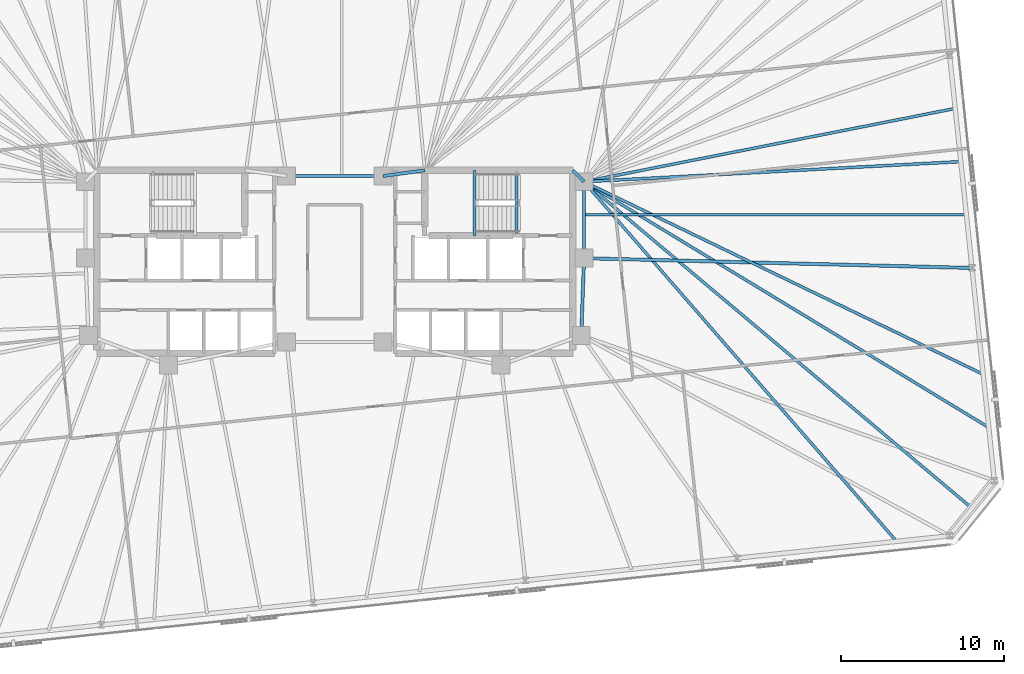
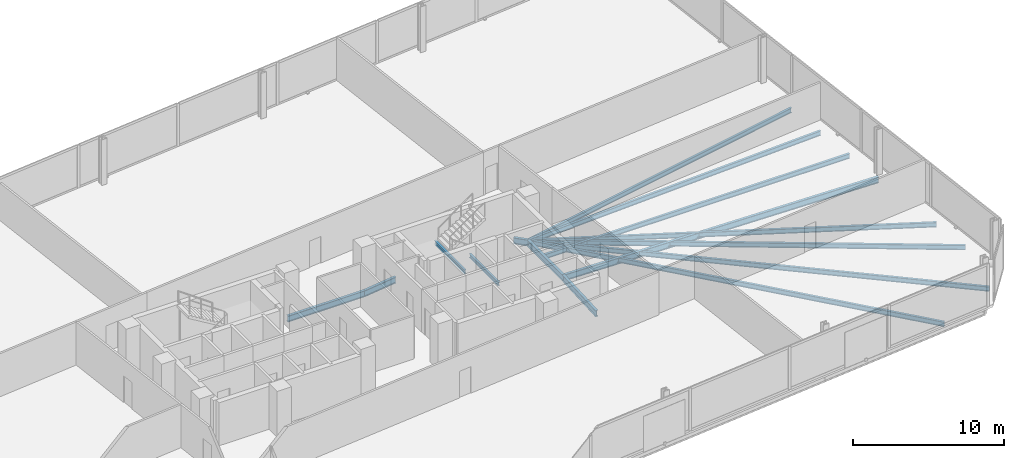
# One storey, part 8 of 18: 15 beams.
"""IFC4 building model written with IfcOpenShell, lengths in metres."""

from ifc_helpers import new_model, si_unit, direction, frame, origin, origin_2d, place, context, subcontext, project, spatial, i_section, extrude, material, material_profile, profile_set, type_object, element, save


model = new_model("IFC4")

# Units and contexts
model_context = context("Model", 3, precision=1e-05, world=origin(), true_north=direction((0.0, 1.0)))
body_context = subcontext(model_context, "Body", "Model", "MODEL_VIEW")
ifc_project = project(units=[si_unit("LENGTHUNIT", "METRE"), si_unit("AREAUNIT", "SQUARE_METRE"), si_unit("VOLUMEUNIT", "CUBIC_METRE"), si_unit("PLANEANGLEUNIT", "RADIAN"), si_unit("MASSUNIT", "GRAM", prefix="KILO")], contexts=[model_context])

# Site, building, storey
site_placement = place(None, origin())
site = spatial("IfcSite", under=ifc_project, at=site_placement, CompositionType="ELEMENT")
building_placement = place(site_placement, origin())
building = spatial("IfcBuilding", under=site, at=building_placement, Name="Menara Jurai Vektor", CompositionType="ELEMENT")
storey_placement = place(building_placement, frame((0.0, 0.0, 135.5)))
storey = spatial("IfcBuildingStorey", under=building, at=storey_placement, Name="L34", CompositionType="ELEMENT", Elevation=135.5)

# Beams
ifc_material = material(Name="Steel S355", Category="steel")
ifc_material_profile_1 = material_profile(ifc_material, i_section(OverallWidth=0.199951171875, OverallDepth=0.5, WebThickness=0.011962890625, FlangeThickness=0.02001953125, at=origin_2d()), Name="PG 500x200x96")
ifc_profile_set_1 = profile_set([ifc_material_profile_1], Name="Steel S355")
beam_type_1 = type_object("IfcBeamType", Name="STR-BM-500", PredefinedType="BEAM", material=ifc_profile_set_1)
beam_1_placement = place(storey_placement, frame((2.949951171875, 5.25, -0.47509765625), z_axis=(0.990706818608, 0.136014703483, 0.0), x_axis=(-0.136014703483, 0.990706818608, 0.0)))
element("IfcBeam", 1, at=beam_1_placement, inside=storey, type_object=beam_type_1, Name="Core Ring Header Girder L34-CHE-N1", PredefinedType="BEAM", context=body_context, shape_type="SweptSolid", body=[
    extrude(i_section(OverallWidth=0.199951171875, OverallDepth=0.5, WebThickness=0.011962890625, FlangeThickness=0.02001953125, at=origin_2d()), origin(), (0.0, 0.0, 1.0), 2.573974609375),
])
beam_2_placement = place(storey_placement, frame((14.56005859375, 5.60009765625, -0.47509765625), z_axis=(0.701871936926, -0.712303154672, 0.0), x_axis=(0.712303154672, 0.701871936926, 0.0)))
element("IfcBeam", 2, at=beam_2_placement, inside=storey, type_object=beam_type_1, Name="Core Ring Header Girder L34-CHE-N2", PredefinedType="BEAM", context=body_context, shape_type="SweptSolid", body=[
    extrude(i_section(OverallWidth=0.199951171875, OverallDepth=0.5, WebThickness=0.011962890625, FlangeThickness=0.02001953125, at=origin_2d()), origin(), (0.0, 0.0, 1.0), 0.98291015625),
])
beam_3_placement = place(storey_placement, frame((15.25, 0.219970703125, -0.47509765625), z_axis=(0.0, 1.0, 0.0), x_axis=(-1.0, 0.0, 0.0)))
element("IfcBeam", 3, at=beam_3_placement, inside=storey, type_object=beam_type_1, Name="Core Ring Header Girder L34-CHE-E1", PredefinedType="BEAM", context=body_context, shape_type="SweptSolid", body=[
    extrude(i_section(OverallWidth=0.199951171875, OverallDepth=0.5, WebThickness=0.011962890625, FlangeThickness=0.02001953125, at=origin_2d()), origin(), (0.0, 0.0, 1.0), 4.679931640625),
])
beam_4_placement = place(storey_placement, frame((15.080078125, -4.5, -0.47509765625), z_axis=(0.035977314146, 0.999352606874, 0.0), x_axis=(-0.999352606874, 0.035977314146, 0.0)))
element("IfcBeam", 4, at=beam_4_placement, inside=storey, type_object=beam_type_1, Name="Core Ring Header Girder L34-CHE-E2", PredefinedType="BEAM", context=body_context, shape_type="SweptSolid", body=[
    extrude(i_section(OverallWidth=0.199951171875, OverallDepth=0.5, WebThickness=0.011962890625, FlangeThickness=0.02001953125, at=origin_2d()), origin(), (0.0, 0.0, 1.0), 4.72314453125),
])
beam_5_placement = place(storey_placement, frame((-2.949951171875, 5.25, -0.47509765625), z_axis=(1.0, 0.0, 0.0), x_axis=(0.0, 1.0, 0.0)))
element("IfcBeam", 5, at=beam_5_placement, inside=storey, type_object=beam_type_1, Name="Core Ring Header Girder L34-CC-2", PredefinedType="BEAM", context=body_context, shape_type="SweptSolid", body=[
    extrude(i_section(OverallWidth=0.199951171875, OverallDepth=0.5, WebThickness=0.011962890625, FlangeThickness=0.02001953125, at=origin_2d()), origin(), (0.0, 0.0, 1.0), 5.89990234375),
])
beam_6_placement = place(storey_placement, frame((38.98828125, -0.375, -0.47509765625), z_axis=(-0.999686051749, 0.02505589629, 0.0), x_axis=(-0.02505589629, -0.999686051749, 0.0)))
element("IfcBeam", 6, at=beam_6_placement, inside=storey, type_object=beam_type_1, Name="Radial Floor Girder L34-E2", PredefinedType="BEAM", context=body_context, shape_type="SweptSolid", body=[
    extrude(i_section(OverallWidth=0.199951171875, OverallDepth=0.5, WebThickness=0.011962890625, FlangeThickness=0.02001953125, at=origin_2d()), origin(), (0.0, 0.0, 1.0), 23.745849609375),
])
ifc_material_profile_2 = material_profile(ifc_material, i_section(OverallWidth=0.175048828125, OverallDepth=0.3798828125, WebThickness=0.010009765625, FlangeThickness=0.014892578125, at=origin_2d()), Name="PG 380x175x58")
ifc_profile_set_2 = profile_set([ifc_material_profile_2], Name="Steel S355")
beam_type_2 = type_object("IfcBeamType", Name="STR-JS-380", PredefinedType="JOIST", material=ifc_profile_set_2)
beam_7_placement = place(storey_placement, frame((34.376953125, -17.106201171875, -0.4150390625), z_axis=(-0.656007047389, 0.754754763996, 0.0), x_axis=(-0.754754763996, -0.656007047389, 0.0)))
element("IfcBeam", 7, at=beam_7_placement, inside=storey, type_object=beam_type_2, Name="Radial Secondary Floor Joist L34-JS09", PredefinedType="JOIST", context=body_context, shape_type="SweptSolid", body=[
    extrude(i_section(OverallWidth=0.175048828125, OverallDepth=0.3798828125, WebThickness=0.010009765625, FlangeThickness=0.014892578125, at=origin_2d()), origin(), (0.0, 0.0, 1.0), 29.15673828125),
])
beam_8_placement = place(storey_placement, frame((38.989013671875, -15.076904296875, -0.4150390625), z_axis=(-0.765132553444, 0.643872794627, 0.0), x_axis=(-0.643872794627, -0.765132553444, 0.0)))
element("IfcBeam", 8, at=beam_8_placement, inside=storey, type_object=beam_type_2, Name="Radial Secondary Floor Joist L34-JS10", PredefinedType="JOIST", context=body_context, shape_type="SweptSolid", body=[
    extrude(i_section(OverallWidth=0.175048828125, OverallDepth=0.3798828125, WebThickness=0.010009765625, FlangeThickness=0.014892578125, at=origin_2d()), origin(), (0.0, 0.0, 1.0), 31.026123046875),
])
beam_9_placement = place(storey_placement, frame((40.01416015625, -10.13525390625, -0.4150390625), z_axis=(-0.854790986557, 0.518972416706, 0.0), x_axis=(-0.518972416706, -0.854790986557, 0.0)))
element("IfcBeam", 9, at=beam_9_placement, inside=storey, type_object=beam_type_2, Name="Radial Secondary Floor Joist L34-JS11", PredefinedType="JOIST", context=body_context, shape_type="SweptSolid", body=[
    extrude(i_section(OverallWidth=0.175048828125, OverallDepth=0.3798828125, WebThickness=0.010009765625, FlangeThickness=0.014892578125, at=origin_2d()), origin(), (0.0, 0.0, 1.0), 28.970947265625),
])
beam_10_placement = place(storey_placement, frame((39.672119140625, -6.8818359375, -0.4150390625), z_axis=(-0.90067072624, 0.434502293312, 0.0), x_axis=(-0.434502293312, -0.90067072624, 0.0)))
element("IfcBeam", 10, at=beam_10_placement, inside=storey, type_object=beam_type_2, Name="Radial Secondary Floor Joist L34-JS12", PredefinedType="JOIST", context=body_context, shape_type="SweptSolid", body=[
    extrude(i_section(OverallWidth=0.175048828125, OverallDepth=0.3798828125, WebThickness=0.010009765625, FlangeThickness=0.014892578125, at=origin_2d()), origin(), (0.0, 0.0, 1.0), 27.115478515625),
])
beam_11_placement = place(storey_placement, frame((38.646484375, 2.87841796875, -0.4150390625), z_axis=(-1.0, 0.0, 0.0), x_axis=(0.0, -1.0, 0.0)))
element("IfcBeam", 11, at=beam_11_placement, inside=storey, type_object=beam_type_2, Name="Radial Secondary Floor Joist L34-JS13", PredefinedType="JOIST", context=body_context, shape_type="SweptSolid", body=[
    extrude(i_section(OverallWidth=0.175048828125, OverallDepth=0.3798828125, WebThickness=0.010009765625, FlangeThickness=0.014892578125, at=origin_2d()), origin(), (0.0, 0.0, 1.0), 23.396484375),
])
beam_12_placement = place(storey_placement, frame((38.304443359375, 6.131591796875, -0.4150390625), z_axis=(-0.998575919005, -0.053349170414, 0.0), x_axis=(0.053349170414, -0.998575919005, 0.0)))
element("IfcBeam", 12, at=beam_12_placement, inside=storey, type_object=beam_type_2, Name="Radial Secondary Floor Joist L34-JS14", PredefinedType="JOIST", context=body_context, shape_type="SweptSolid", body=[
    extrude(i_section(OverallWidth=0.175048828125, OverallDepth=0.3798828125, WebThickness=0.010009765625, FlangeThickness=0.014892578125, at=origin_2d()), origin(), (0.0, 0.0, 1.0), 23.08740234375),
])
beam_13_placement = place(storey_placement, frame((37.96240234375, 9.385009765625, -0.4150390625), z_axis=(-0.981054359007, -0.193732662897, 0.0), x_axis=(0.193732662897, -0.981054359007, 0.0)))
element("IfcBeam", 13, at=beam_13_placement, inside=storey, type_object=beam_type_2, Name="Radial Secondary Floor Joist L34-JS15", PredefinedType="JOIST", context=body_context, shape_type="SweptSolid", body=[
    extrude(i_section(OverallWidth=0.175048828125, OverallDepth=0.3798828125, WebThickness=0.010009765625, FlangeThickness=0.014892578125, at=origin_2d()), origin(), (0.0, 0.0, 1.0), 23.151123046875),
])
ifc_material_profile_3 = material_profile(ifc_material, i_section(OverallWidth=0.1650390625, OverallDepth=0.302978515625, WebThickness=0.006103515625, FlangeThickness=0.010009765625, FilletRadius=0.009033203125, at=origin_2d()), Name="UKB 305x165x40")
ifc_profile_set_3 = profile_set([ifc_material_profile_3], Name="Steel S355")
beam_type_3 = type_object("IfcBeamType", Name="STR-LN-305", PredefinedType="LINTEL", material=ifc_profile_set_3)
beam_14_placement = place(storey_placement, frame((11.1201171875, 1.60009765625, -0.37646484375), z_axis=(0.0, 1.0, 0.0), x_axis=(-1.0, 0.0, 0.0)))
element("IfcBeam", 14, at=beam_14_placement, inside=storey, type_object=beam_type_3, Name="Stair Well Floor Trimmer ST2 L34", PredefinedType="LINTEL", context=body_context, shape_type="SweptSolid", body=[
    extrude(i_section(OverallWidth=0.1650390625, OverallDepth=0.302978515625, WebThickness=0.006103515625, FlangeThickness=0.010009765625, FilletRadius=0.009033203125, at=origin_2d()), origin(), (0.0, 0.0, 1.0), 3.81982421875),
])
beam_15_placement = place(storey_placement, frame((8.550048828125, 1.60009765625, 1.49853515625), z_axis=(0.0, 1.0, 0.0), x_axis=(-1.0, 0.0, 0.0)))
element("IfcBeam", 15, at=beam_15_placement, inside=storey, type_object=beam_type_3, Name="Stair Half-Landing Nosing Trimmer ST2-1 L34", PredefinedType="LINTEL", context=body_context, shape_type="SweptSolid", body=[
    extrude(i_section(OverallWidth=0.1650390625, OverallDepth=0.302978515625, WebThickness=0.006103515625, FlangeThickness=0.010009765625, FilletRadius=0.009033203125, at=origin_2d()), origin(), (0.0, 0.0, 1.0), 4.0),
])

save(model, "model.ifc")
